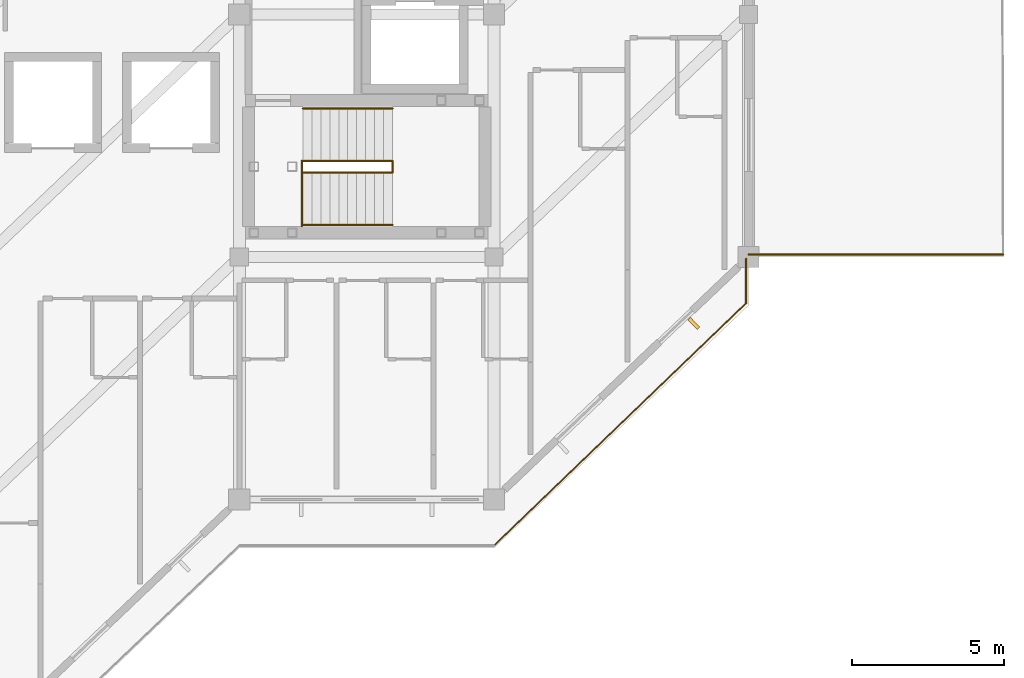
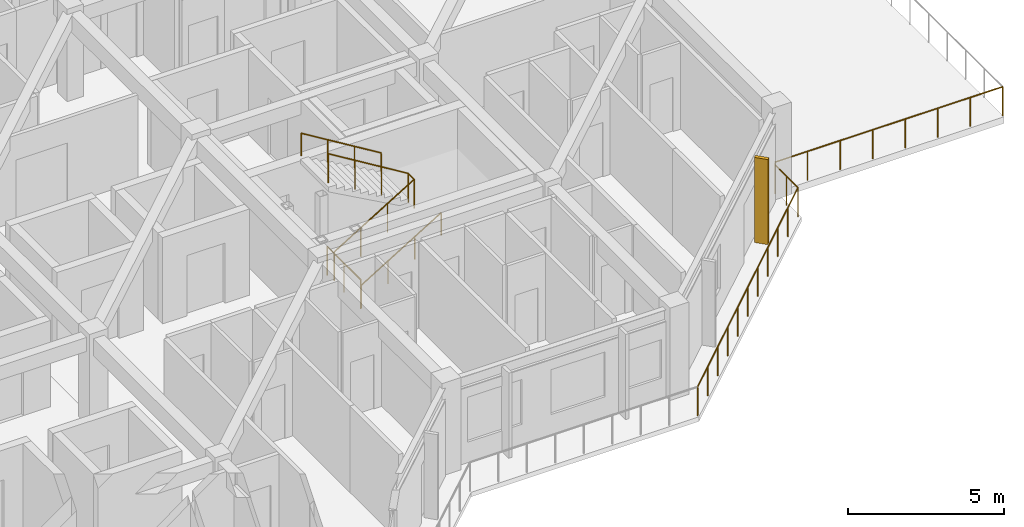
# One storey, part 14 of 15: 9 railings, 1 shading device.
"""IFC4 building model written with IfcOpenShell, lengths in metres."""

from ifc_helpers import new_model, si_unit, direction, frame, origin, origin_2d, place, context, subcontext, project, spatial, rectangle, circle, extrude, material, layer, layer_set, type_object, element, save


model = new_model("IFC4")

# Units and contexts
model_context = context("Model", 3, precision=1e-05, world=origin(), true_north=direction((0.0, 1.0)))
body_context = subcontext(model_context, "Body", "Model", "MODEL_VIEW")
ifc_project = project(units=[si_unit("LENGTHUNIT", "METRE"), si_unit("AREAUNIT", "SQUARE_METRE"), si_unit("VOLUMEUNIT", "CUBIC_METRE"), si_unit("PLANEANGLEUNIT", "RADIAN"), si_unit("MASSUNIT", "GRAM", prefix="KILO")], contexts=[model_context])

# Site, building, storey
site_placement = place(None, origin())
site = spatial("IfcSite", under=ifc_project, at=site_placement, CompositionType="ELEMENT")
building_placement = place(site_placement, origin())
building = spatial("IfcBuilding", under=site, at=building_placement, Name="Naruveol Harbour Congress Hotel", CompositionType="ELEMENT")
storey_placement = place(building_placement, frame((0.0, 0.0, 36.0)))
storey = spatial("IfcBuildingStorey", under=building, at=storey_placement, Name="L08", CompositionType="ELEMENT", Elevation=36.0)

# Railings
ifc_material_1 = material(Name="Tempered Laminated Safety Glass & Stainless Steel", Category="steel")
ifc_layer_1 = layer(ifc_material_1, 0.06005859375)
ifc_layer_set_1 = layer_set([ifc_layer_1], Name="Tempered Laminated Safety Glass & Stainless Steel")
railing_type_1 = type_object("IfcRailingType", Name="LAMINATED GLASS TERRACE BALUSTRADE 1150", PredefinedType="BALUSTRADE", material=ifc_layer_set_1)
railing_1_placement = place(storey_placement, frame((159.60009765625, 6.47998046875, 0.0)))
element("IfcRailing", 1, at=railing_1_placement, inside=storey, type_object=railing_type_1, Name="L08 Harbour balcony balustrade #115", PredefinedType="BALUSTRADE", context=body_context, shape_type="SweptSolid", body=[
    extrude(circle(Radius=0.02392578125, at=origin_2d()), frame((0.0, 0.0, 1.1259765625), z_axis=(0.720825748563, 0.693116325164, 0.0), x_axis=(-0.693116325164, 0.720825748563, 0.0)), (0.0, 0.0, 1.0), 11.5419921875),
    extrude(circle(Radius=0.02099609375, at=origin_2d()), origin(), (0.0, 0.0, 1.0), 1.101806640625),
    extrude(circle(Radius=0.02099609375, at=origin_2d()), frame((0.83203125, 0.800048828125, 0.0)), (0.0, 0.0, 1.0), 1.101806640625),
    extrude(circle(Radius=0.02099609375, at=origin_2d()), frame((1.6640625, 1.60009765625, 0.0)), (0.0, 0.0, 1.0), 1.101806640625),
    extrude(circle(Radius=0.02099609375, at=origin_2d()), frame((2.495849609375, 2.39990234375, 0.0)), (0.0, 0.0, 1.0), 1.101806640625),
    extrude(circle(Radius=0.02099609375, at=origin_2d()), frame((3.327880859375, 3.199951171875, 0.0)), (0.0, 0.0, 1.0), 1.101806640625),
    extrude(circle(Radius=0.02099609375, at=origin_2d()), frame((4.159912109375, 4.0, 0.0)), (0.0, 0.0, 1.0), 1.101806640625),
    extrude(circle(Radius=0.02099609375, at=origin_2d()), frame((4.991943359375, 4.800048828125, 0.0)), (0.0, 0.0, 1.0), 1.101806640625),
    extrude(circle(Radius=0.02099609375, at=origin_2d()), frame((5.823974609375, 5.60009765625, 0.0)), (0.0, 0.0, 1.0), 1.101806640625),
    extrude(circle(Radius=0.02099609375, at=origin_2d()), frame((6.65576171875, 6.39990234375, 0.0)), (0.0, 0.0, 1.0), 1.101806640625),
    extrude(circle(Radius=0.02099609375, at=origin_2d()), frame((7.48779296875, 7.199951171875, 0.0)), (0.0, 0.0, 1.0), 1.101806640625),
    extrude(circle(Radius=0.02099609375, at=origin_2d()), frame((8.31982421875, 8.0, 0.0)), (0.0, 0.0, 1.0), 1.101806640625),
])
railing_2_placement = place(storey_placement, frame((167.919921875, 14.47998046875, 0.0)))
element("IfcRailing", 2, at=railing_2_placement, inside=storey, type_object=railing_type_1, Name="L08 Harbour balcony balustrade #116", PredefinedType="BALUSTRADE", context=body_context, shape_type="SweptSolid", body=[
    extrude(circle(Radius=0.02392578125, at=origin_2d()), frame((0.0, 0.0, 1.1259765625), z_axis=(0.0, 1.0, 0.0), x_axis=(-1.0, 0.0, 0.0)), (0.0, 0.0, 1.0), 1.4599609375),
    extrude(circle(Radius=0.02099609375, at=origin_2d()), origin(), (0.0, 0.0, 1.0), 1.101806640625),
    extrude(circle(Radius=0.02099609375, at=origin_2d()), frame((0.0, 0.72998046875, 0.0)), (0.0, 0.0, 1.0), 1.101806640625),
    extrude(circle(Radius=0.02099609375, at=origin_2d()), frame((0.0, 1.4599609375, 0.0)), (0.0, 0.0, 1.0), 1.101806640625),
])
railing_3_placement = place(storey_placement, frame((168.0, 16.080078125, 0.0)))
element("IfcRailing", 3, at=railing_3_placement, inside=storey, type_object=railing_type_1, Name="L08 East Harbour Garden Terrace balustrade #117", PredefinedType="BALUSTRADE", context=body_context, shape_type="SweptSolid", body=[
    extrude(circle(Radius=0.02392578125, at=origin_2d()), frame((0.0, 0.0, 1.1259765625), z_axis=(1.0, 0.0, 0.0), x_axis=(0.0, 1.0, 0.0)), (0.0, 0.0, 1.0), 8.39990234375),
    extrude(circle(Radius=0.02099609375, at=origin_2d()), origin(), (0.0, 0.0, 1.0), 1.101806640625),
    extrude(circle(Radius=0.02099609375, at=origin_2d()), frame((1.199951171875, 0.0, 0.0)), (0.0, 0.0, 1.0), 1.101806640625),
    extrude(circle(Radius=0.02099609375, at=origin_2d()), frame((2.39990234375, 0.0, 0.0)), (0.0, 0.0, 1.0), 1.101806640625),
    extrude(circle(Radius=0.02099609375, at=origin_2d()), frame((3.599853515625, 0.0, 0.0)), (0.0, 0.0, 1.0), 1.101806640625),
    extrude(circle(Radius=0.02099609375, at=origin_2d()), frame((4.800048828125, 0.0, 0.0)), (0.0, 0.0, 1.0), 1.101806640625),
    extrude(circle(Radius=0.02099609375, at=origin_2d()), frame((6.0, 0.0, 0.0)), (0.0, 0.0, 1.0), 1.101806640625),
    extrude(circle(Radius=0.02099609375, at=origin_2d()), frame((7.199951171875, 0.0, 0.0)), (0.0, 0.0, 1.0), 1.101806640625),
    extrude(circle(Radius=0.02099609375, at=origin_2d()), frame((8.39990234375, 0.0, 0.0)), (0.0, 0.0, 1.0), 1.101806640625),
])

# Shading device
ifc_material_2 = material(Name="Precast concrete C40/50", Category="concrete")
shading_device_type = type_object("IfcShadingDeviceType", Name="PRECAST VERTICAL BRISE SOLEIL FIN 120X450", PredefinedType="JALOUSIE", material=ifc_material_2)
shading_device_placement = place(storey_placement, frame((166.18994140625, 13.806884765625, 0.0), z_axis=(0.0, 0.0, 1.0), x_axis=(-0.724171861437, -0.689619543736, 0.0)))
element("IfcShadingDevice", 4, at=shading_device_placement, inside=storey, type_object=shading_device_type, Name="Precast brise-soleil fin BS-V450 #91", PredefinedType="JALOUSIE", context=body_context, shape_type="SweptSolid", body=[
    extrude(rectangle(XDim=0.1201171875, YDim=0.449951171875, at=origin_2d()), origin(), (0.0, 0.0, 1.0), 3.320068359375),
])

# Railings
ifc_material_3 = material(Name="Stainless Steel 304", Category="steel")
ifc_layer_2 = layer(ifc_material_3, 0.0419921875)
ifc_layer_set_2 = layer_set([ifc_layer_2], Name="Stainless Steel 304")
railing_type_2 = type_object("IfcRailingType", Name="STAIR WALL MOUNTED HANDRAIL 900", PredefinedType="HANDRAIL", material=ifc_layer_set_2)
railing_4_placement = place(storey_placement, frame((153.300048828125, 17.06005859375, 0.0)))
element("IfcRailing", 5, at=railing_4_placement, inside=storey, type_object=railing_type_2, Name="Stair ST2 L08 lower wall handrail", PredefinedType="HANDRAIL", context=body_context, shape_type="SweptSolid", body=[
    extrude(circle(Radius=0.02392578125, at=origin_2d()), frame((0.0, 0.0, 0.8759765625), z_axis=(0.85362916449, 0.0, 0.520881224016), x_axis=(0.0, 1.0, 0.0)), (0.0, 0.0, 1.0), 3.455810546875),
    extrude(circle(Radius=0.02099609375, at=origin_2d()), origin(), (0.0, 0.0, 1.0), 0.851806640625),
    extrude(circle(Radius=0.02099609375, at=origin_2d()), frame((0.9833984375, 0.0, 0.60009765625)), (0.0, 0.0, 1.0), 0.851806640625),
    extrude(circle(Radius=0.02099609375, at=origin_2d()), frame((1.966552734375, 0.0, 1.199951171875)), (0.0, 0.0, 1.0), 0.851806640625),
    extrude(circle(Radius=0.02099609375, at=origin_2d()), frame((2.949951171875, 0.0, 1.800048828125)), (0.0, 0.0, 1.0), 0.851806640625),
])
railing_5_placement = place(storey_placement, frame((156.25, 20.89990234375, 1.800048828125)))
element("IfcRailing", 6, at=railing_5_placement, inside=storey, type_object=railing_type_2, Name="Stair ST2 L08 upper wall handrail", PredefinedType="HANDRAIL", context=body_context, shape_type="SweptSolid", body=[
    extrude(circle(Radius=0.02392578125, at=origin_2d()), frame((0.0, 0.0, 0.8759765625), z_axis=(-0.85362916449, 0.0, 0.520881224016), x_axis=(0.0, -1.0, 0.0)), (0.0, 0.0, 1.0), 3.455810546875),
    extrude(circle(Radius=0.02099609375, at=origin_2d()), origin(), (0.0, 0.0, 1.0), 0.851806640625),
    extrude(circle(Radius=0.02099609375, at=origin_2d()), frame((-0.9833984375, 0.0, 0.60009765625)), (0.0, 0.0, 1.0), 0.851806640625),
    extrude(circle(Radius=0.02099609375, at=origin_2d()), frame((-1.966552734375, 0.0, 1.199951171875)), (0.0, 0.0, 1.0), 0.851806640625),
    extrude(circle(Radius=0.02099609375, at=origin_2d()), frame((-2.949951171875, 0.0, 1.800048828125)), (0.0, 0.0, 1.0), 0.851806640625),
])
ifc_material_4 = material(Name="Steel SN490", Category="steel")
ifc_layer_3 = layer(ifc_material_4, 0.044921875)
ifc_layer_set_3 = layer_set([ifc_layer_3], Name="Steel SN490")
railing_type_3 = type_object("IfcRailingType", Name="STAIRWELL STEEL GUARDRAIL 1150", PredefinedType="GUARDRAIL", material=ifc_layer_set_3)
railing_6_placement = place(storey_placement, frame((153.300048828125, 18.7900390625, 0.0)))
element("IfcRailing", 7, at=railing_6_placement, inside=storey, type_object=railing_type_3, Name="Stair ST2 L08 lower well guard", PredefinedType="GUARDRAIL", context=body_context, shape_type="SweptSolid", body=[
    extrude(circle(Radius=0.02392578125, at=origin_2d()), frame((0.0, 0.0, 1.1259765625), z_axis=(0.85362916449, 0.0, 0.520881224016), x_axis=(0.0, 1.0, 0.0)), (0.0, 0.0, 1.0), 3.455810546875),
    extrude(circle(Radius=0.02099609375, at=origin_2d()), origin(), (0.0, 0.0, 1.0), 1.101806640625),
    extrude(circle(Radius=0.02099609375, at=origin_2d()), frame((0.9833984375, 0.0, 0.60009765625)), (0.0, 0.0, 1.0), 1.101806640625),
    extrude(circle(Radius=0.02099609375, at=origin_2d()), frame((1.966552734375, 0.0, 1.199951171875)), (0.0, 0.0, 1.0), 1.101806640625),
    extrude(circle(Radius=0.02099609375, at=origin_2d()), frame((2.949951171875, 0.0, 1.800048828125)), (0.0, 0.0, 1.0), 1.101806640625),
])
railing_7_placement = place(storey_placement, frame((156.25, 18.7900390625, 1.800048828125)))
element("IfcRailing", 8, at=railing_7_placement, inside=storey, type_object=railing_type_3, Name="Stair ST2 L08 half-landing slot guard", PredefinedType="GUARDRAIL", context=body_context, shape_type="SweptSolid", body=[
    extrude(circle(Radius=0.02392578125, at=origin_2d()), frame((0.0, 0.0, 1.1259765625), z_axis=(0.0, 1.0, 0.0), x_axis=(-1.0, 0.0, 0.0)), (0.0, 0.0, 1.0), 0.3798828125),
    extrude(circle(Radius=0.02099609375, at=origin_2d()), origin(), (0.0, 0.0, 1.0), 1.101806640625),
    extrude(circle(Radius=0.02099609375, at=origin_2d()), frame((0.0, 0.3798828125, 0.0)), (0.0, 0.0, 1.0), 1.101806640625),
])
railing_8_placement = place(storey_placement, frame((156.25, 19.169921875, 1.800048828125)))
element("IfcRailing", 9, at=railing_8_placement, inside=storey, type_object=railing_type_3, Name="Stair ST2 L08 upper well guard", PredefinedType="GUARDRAIL", context=body_context, shape_type="SweptSolid", body=[
    extrude(circle(Radius=0.02392578125, at=origin_2d()), frame((0.0, 0.0, 1.1259765625), z_axis=(-0.85362916449, 0.0, 0.520881224016), x_axis=(0.0, -1.0, 0.0)), (0.0, 0.0, 1.0), 3.455810546875),
    extrude(circle(Radius=0.02099609375, at=origin_2d()), origin(), (0.0, 0.0, 1.0), 1.101806640625),
    extrude(circle(Radius=0.02099609375, at=origin_2d()), frame((-0.9833984375, 0.0, 0.60009765625)), (0.0, 0.0, 1.0), 1.101806640625),
    extrude(circle(Radius=0.02099609375, at=origin_2d()), frame((-1.966552734375, 0.0, 1.199951171875)), (0.0, 0.0, 1.0), 1.101806640625),
    extrude(circle(Radius=0.02099609375, at=origin_2d()), frame((-2.949951171875, 0.0, 1.800048828125)), (0.0, 0.0, 1.0), 1.101806640625),
])
railing_9_placement = place(storey_placement, frame((153.260009765625, 17.02001953125, 0.0)))
element("IfcRailing", 10, at=railing_9_placement, inside=storey, type_object=railing_type_3, Name="Stair ST2 L08 landing well guard", PredefinedType="GUARDRAIL", context=body_context, shape_type="SweptSolid", body=[
    extrude(circle(Radius=0.02392578125, at=origin_2d()), frame((0.0, 0.0, 1.1259765625), z_axis=(0.0, 1.0, 0.0), x_axis=(-1.0, 0.0, 0.0)), (0.0, 0.0, 1.0), 2.14990234375),
    extrude(circle(Radius=0.02099609375, at=origin_2d()), origin(), (0.0, 0.0, 1.0), 1.101806640625),
    extrude(circle(Radius=0.02099609375, at=origin_2d()), frame((0.0, 1.074951171875, 0.0)), (0.0, 0.0, 1.0), 1.101806640625),
    extrude(circle(Radius=0.02099609375, at=origin_2d()), frame((0.0, 2.14990234375, 0.0)), (0.0, 0.0, 1.0), 1.101806640625),
])

save(model, "model.ifc")
